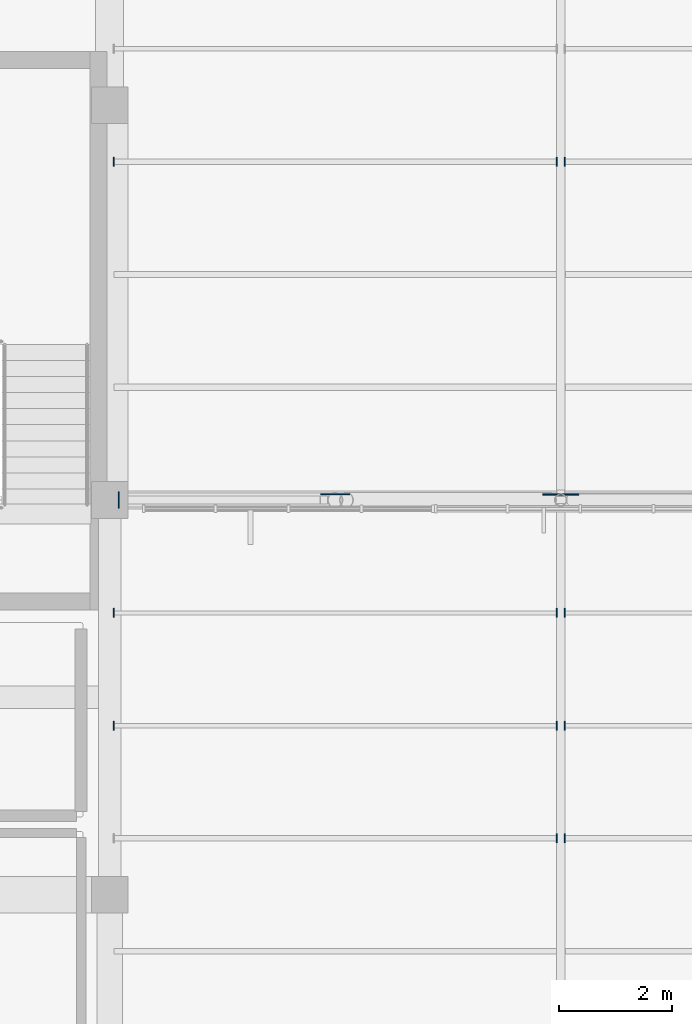
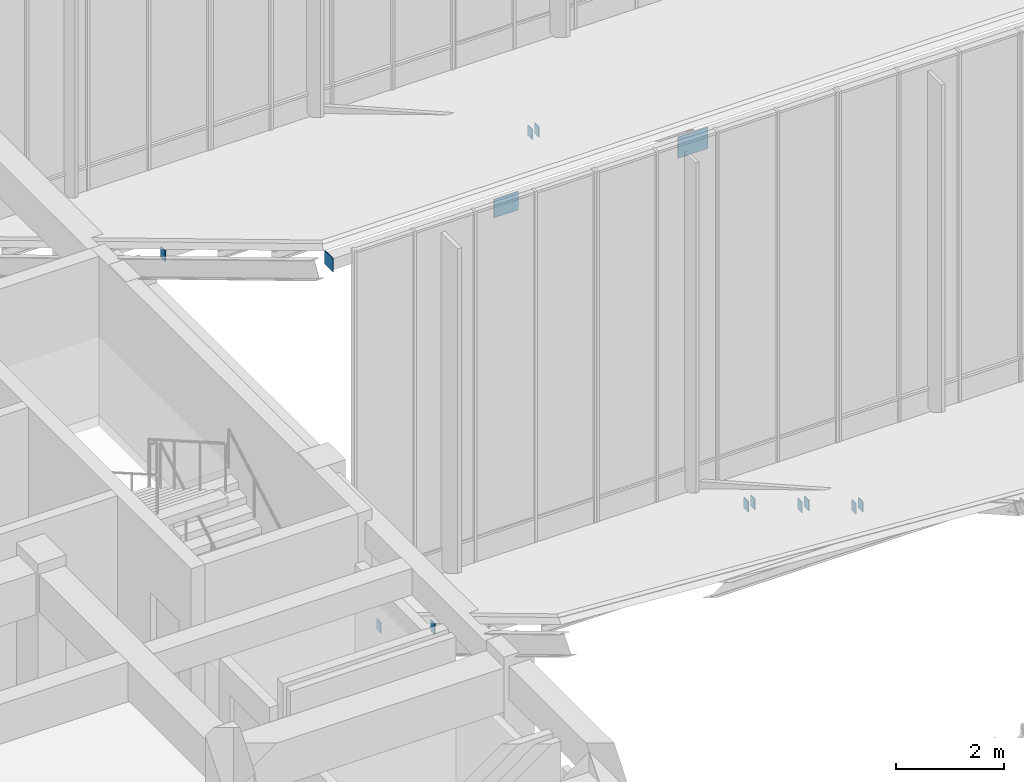
# One storey, part 87 of 155: 14 plates.
"""IFC4 building model written with IfcOpenShell, lengths in metres."""

from ifc_helpers import new_model, si_unit, direction, frame, origin, origin_2d, place, context, subcontext, project, spatial, rectangle, extrude, material, layer, layer_set, type_object, element, save


model = new_model("IFC4")

# Units and contexts
model_context = context("Model", 3, precision=1e-05, world=origin(), true_north=direction((0.0, 1.0)))
body_context = subcontext(model_context, "Body", "Model", "MODEL_VIEW")
ifc_project = project(units=[si_unit("LENGTHUNIT", "METRE"), si_unit("AREAUNIT", "SQUARE_METRE"), si_unit("VOLUMEUNIT", "CUBIC_METRE"), si_unit("PLANEANGLEUNIT", "RADIAN"), si_unit("MASSUNIT", "GRAM", prefix="KILO")], contexts=[model_context])

# Site, building, storey
site_placement = place(None, origin())
site = spatial("IfcSite", under=ifc_project, at=site_placement, CompositionType="ELEMENT")
building_placement = place(site_placement, origin())
building = spatial("IfcBuilding", under=site, at=building_placement, Name="Larkveld Mobility Hub", CompositionType="ELEMENT")
storey_placement = place(building_placement, frame((0.0, 0.0, 8.39990234375)))
storey = spatial("IfcBuildingStorey", under=building, at=storey_placement, Name="L02", CompositionType="ELEMENT", Elevation=8.39990234375)

# Plates
ifc_material = material(Name="Steel S355JR", Category="steel")
ifc_layer_1 = layer(ifc_material, 0.02001953125, Name="Steel S355JR", Category="steel")
ifc_layer_set_1 = layer_set([ifc_layer_1], Name="Steel S355JR")
plate_type_1 = type_object("IfcPlateType", Name="PT-EC01", PredefinedType="USERDEFINED", material=ifc_layer_set_1)
plate_1_placement = place(storey_placement, frame((152.159912109375, 56.0, 7.80029296875), z_axis=(0.0, 0.0, 1.0), x_axis=(1.0, 0.0, 0.0)))
element("IfcPlate", 1, at=plate_1_placement, inside=storey, type_object=plate_type_1, Name="Hollow Chord End Cap Plate EC-026", ObjectType="GUSSET PLATE", PredefinedType="USERDEFINED", context=body_context, shape_type="SweptSolid", body=[
    extrude(rectangle(XDim=0.02001953125, YDim=0.300048828125, at=origin_2d()), origin(), (0.0, 0.0, 1.0), 0.300048828125),
])
ifc_layer_2 = layer(ifc_material, 0.02001953125, Name="Steel S355JR", Category="steel")
ifc_layer_set_2 = layer_set([ifc_layer_2], Name="Steel S355JR")
plate_type_2 = type_object("IfcPlateType", Name="PT-EC02", PredefinedType="USERDEFINED", material=ifc_layer_set_2)
for number, where, z_axis, x_axis, name in (
    (2, (159.927978515625, 50.0, 3.18701171875), (0.0, 0.0, 1.0), (1.0, 0.0, 0.0), "Hollow Purlin End Cap Plate PEC-105"),
    (3, (160.072021484375, 50.0, 3.18701171875), (0.0, 0.0, 1.0), (1.0, 0.0, 0.0), "Hollow Purlin End Cap Plate PEC-106"),
    (4, (152.072021484375, 52.0, 2.00732421875), (0.0, 0.0, 1.0), (1.0, 0.0, 0.0), "Hollow Purlin End Cap Plate PEC-112"),
    (5, (159.927978515625, 52.0, 2.00732421875), (0.0, 0.0, 1.0), (1.0, 0.0, 0.0), "Hollow Purlin End Cap Plate PEC-113"),
    (6, (160.072021484375, 52.0, 2.00732421875), (0.0, 0.0, 1.0), (1.0, 0.0, 0.0), "Hollow Purlin End Cap Plate PEC-114"),
    (7, (152.072021484375, 54.0, 0.81689453125), (0.0, 0.0, 1.0), (1.0, 0.0, 0.0), "Hollow Purlin End Cap Plate PEC-120"),
    (8, (159.927978515625, 54.0, 0.81689453125), (0.0, 0.0, 1.0), (1.0, 0.0, 0.0), "Hollow Purlin End Cap Plate PEC-121"),
    (9, (160.072021484375, 54.0, 0.81689453125), (0.0, 0.0, 1.0), (1.0, 0.0, 0.0), "Hollow Purlin End Cap Plate PEC-122"),
    (10, (152.072021484375, 62.0, 4.38720703125), (0.0, 0.0, 1.0), (1.0, 0.0, 0.0), "Hollow Purlin End Cap Plate PEC-128"),
    (11, (159.927978515625, 62.0, 4.38720703125), (0.0, 0.0, 1.0), (1.0, 0.0, 0.0), "Hollow Purlin End Cap Plate PEC-129"),
    (12, (160.072021484375, 62.0, 4.38720703125), (0.0, 0.0, 1.0), (1.0, 0.0, 0.0), "Hollow Purlin End Cap Plate PEC-130"),
):
    element("IfcPlate", number, at=place(storey_placement, frame(where, z_axis=z_axis, x_axis=x_axis)), inside=storey, type_object=plate_type_2, Name=name, ObjectType="GUSSET PLATE", PredefinedType="USERDEFINED", context=body_context, shape_type="SweptSolid", body=[
        extrude(rectangle(XDim=0.02001953125, YDim=0.159912109375, at=origin_2d()), origin(), (0.0, 0.0, 1.0), 0.239990234375),
    ])
ifc_layer_3 = layer(ifc_material, 0.02001953125, Name="Steel S355JR", Category="steel")
ifc_layer_set_3 = layer_set([ifc_layer_3], Name="Steel S355JR")
plate_type_3 = type_object("IfcPlateType", Name="PT-GS01", PredefinedType="USERDEFINED", material=ifc_layer_set_3)
plate_2_placement = place(storey_placement, frame((156.0, 56.10009765625, 7.615234375), z_axis=(0.0, 0.0, 1.0), x_axis=(1.0, 0.0, 0.0)))
element("IfcPlate", 13, at=plate_2_placement, inside=storey, type_object=plate_type_3, Name="Truss Node Gusset Plate TN-019", ObjectType="GUSSET PLATE", PredefinedType="USERDEFINED", context=body_context, shape_type="SweptSolid", body=[
    extrude(rectangle(XDim=0.52001953125, YDim=0.02001953125, at=origin_2d()), origin(), (0.0, 0.0, 1.0), 0.419921875),
])
ifc_layer_4 = layer(ifc_material, 0.02392578125, Name="Steel S355JR", Category="steel")
ifc_layer_set_4 = layer_set([ifc_layer_4], Name="Steel S355JR")
plate_type_4 = type_object("IfcPlateType", Name="PT-GS02", PredefinedType="USERDEFINED", material=ifc_layer_set_4)
plate_3_placement = place(storey_placement, frame((160.0, 56.10009765625, 7.585205078125), z_axis=(0.0, 0.0, 1.0), x_axis=(1.0, 0.0, 0.0)))
element("IfcPlate", 14, at=plate_3_placement, inside=storey, type_object=plate_type_4, Name="Truss Node Gusset Plate TN-020", ObjectType="GUSSET PLATE", PredefinedType="USERDEFINED", context=body_context, shape_type="SweptSolid", body=[
    extrude(rectangle(XDim=0.639892578125, YDim=0.02392578125, at=origin_2d()), origin(), (0.0, 0.0, 1.0), 0.47998046875),
])

save(model, "model.ifc")
